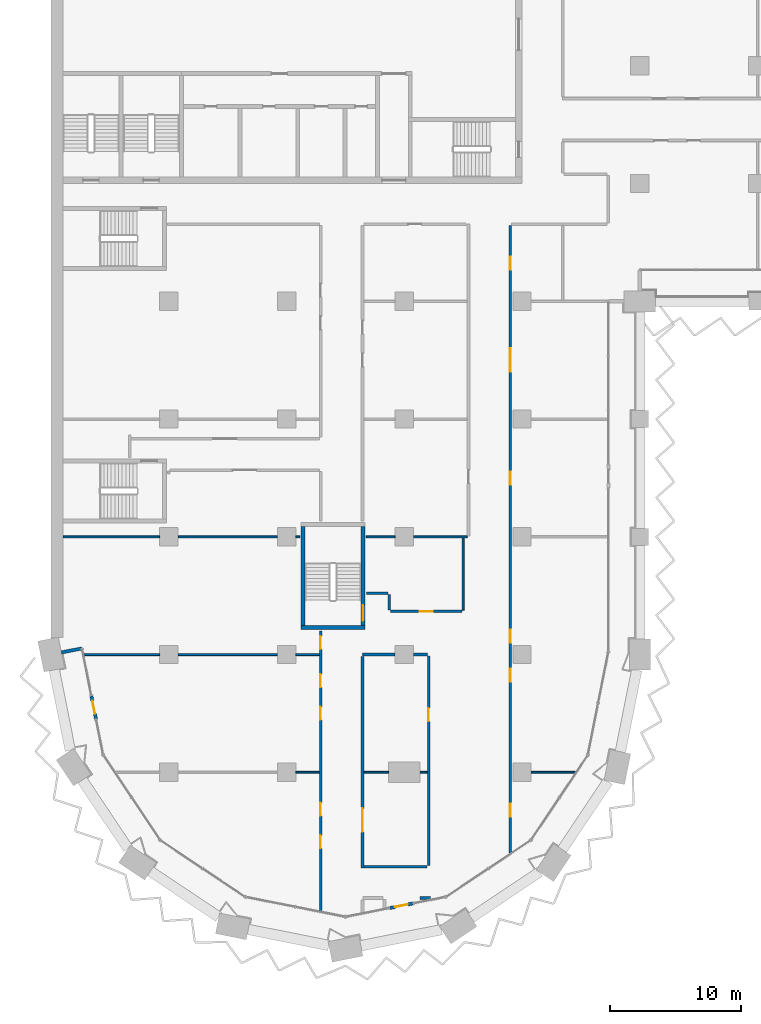
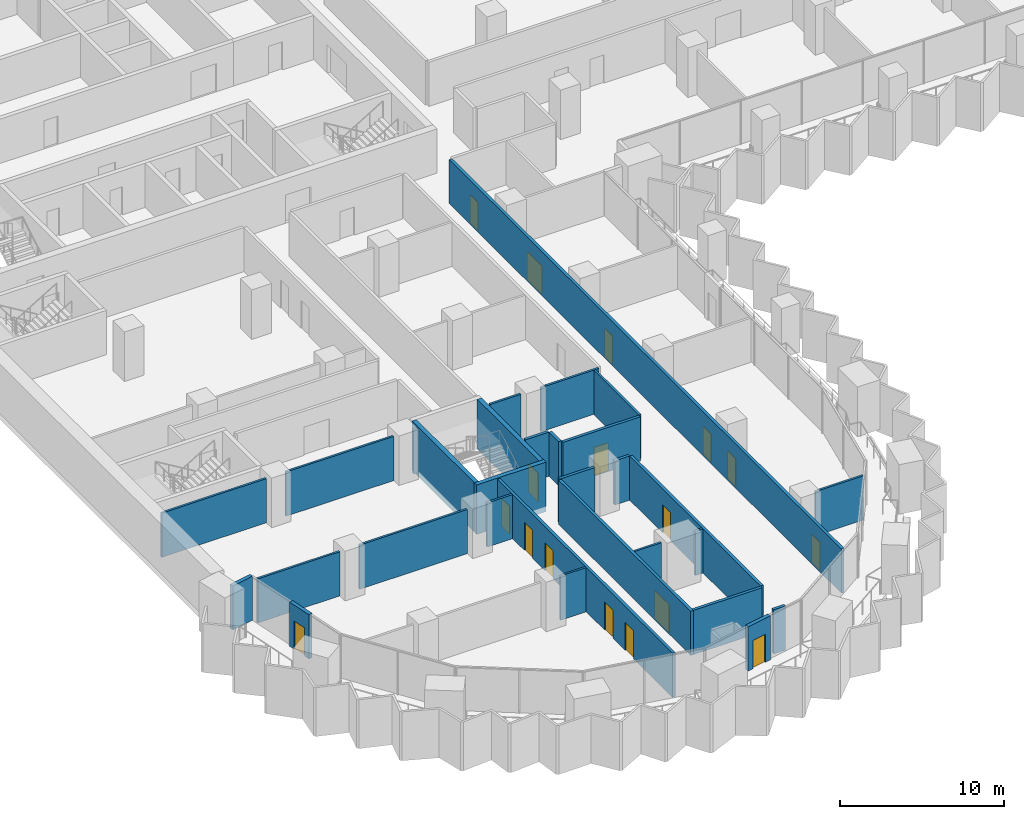
# One storey, part 10 of 28: 30 walls, 17 doors, 17 openings.
"""IFC4 building model written with IfcOpenShell, lengths in metres."""

from ifc_helpers import new_model, si_unit, direction, frame, frame_2d, origin, place, context, subcontext, project, spatial, rectangle, extrude, material, layer, layer_set, type_object, element, fill, save


model = new_model("IFC4")

# Units and contexts
model_context = context("Model", 3, precision=1e-05, world=origin(), true_north=direction((0.0, 1.0)))
body_context = subcontext(model_context, "Body", "Model", "MODEL_VIEW")
ifc_project = project(units=[si_unit("LENGTHUNIT", "METRE"), si_unit("AREAUNIT", "SQUARE_METRE"), si_unit("VOLUMEUNIT", "CUBIC_METRE"), si_unit("PLANEANGLEUNIT", "RADIAN"), si_unit("MASSUNIT", "GRAM", prefix="KILO")], contexts=[model_context])

# Site, building, storey
site_placement = place(None, origin())
site = spatial("IfcSite", under=ifc_project, at=site_placement, CompositionType="ELEMENT")
building_placement = place(site_placement, origin())
building = spatial("IfcBuilding", under=site, at=building_placement, Name="Hunhe Ridgeline Campus", CompositionType="ELEMENT")
storey_placement = place(building_placement, frame((0.0, 0.0, 61.699951171875)))
storey = spatial("IfcBuildingStorey", under=building, at=storey_placement, Name="L14", CompositionType="ELEMENT", Elevation=61.699951171875)

# Walls
ifc_material_1 = material(Name="Concrete C30", Category="concrete")
ifc_layer_1 = layer(ifc_material_1, 0.25)
ifc_layer_set_1 = layer_set([ifc_layer_1], Name="Corner return wall 250 Concrete C30")
wall_type_1 = type_object("IfcWallType", Name="Corner return wall 250 Concrete C30", PredefinedType="SOLIDWALL", material=ifc_layer_set_1)
wall_1_placement = place(storey_placement, frame((0.784423828125, 27.15673828125, 0.0), z_axis=(0.0, 0.0, 1.0), x_axis=(0.980826234823, 0.19488431718, 0.0)))
element("IfcWall", 1, at=wall_1_placement, inside=storey, type_object=wall_type_1, Name="Corner return wall 1", PredefinedType="SOLIDWALL", context=body_context, shape_type="SweptSolid", body=[
    extrude(rectangle(XDim=1.60107421875, YDim=0.25, at=frame_2d((0.800537109375, 0.0))), origin(), (0.0, 0.0, 1.0), 3.300048828125),
])
ifc_material_2 = material(Name="Gypsum board partition")
ifc_layer_2 = layer(ifc_material_2, 0.199951171875)
ifc_layer_set_2 = layer_set([ifc_layer_2], Name="Corridor partition 200 gypsum board on steel studs")
wall_type_2 = type_object("IfcWallType", Name="Corridor partition 200 gypsum board on steel studs", PredefinedType="PARTITIONING", material=ifc_layer_set_2)
wall_2_placement = place(storey_placement, frame((29.007568359375, 8.389892578125, 0.0), z_axis=(0.0, 0.0, 1.0), x_axis=(-1.0, 0.0, 0.0)))
element("IfcWall", 2, at=wall_2_placement, inside=storey, type_object=wall_type_2, Name="F-L14-wall-002", PredefinedType="PARTITIONING", context=body_context, shape_type="SweptSolid", body=[
    extrude(rectangle(XDim=0.82958984375, YDim=0.199951171875, at=frame_2d((0.414794921875, 0.0))), origin(), (0.0, 0.0, 1.0), 3.300048828125),
])
wall_3_placement = place(storey_placement, frame((23.89990234375, 10.7900390625, 0.0), z_axis=(0.0, 0.0, 1.0), x_axis=(1.0, 0.0, 0.0)))
element("IfcWall", 3, at=wall_3_placement, inside=storey, type_object=wall_type_2, Name="F-L14-wall-003", PredefinedType="PARTITIONING", context=body_context, shape_type="SweptSolid", body=[
    extrude(rectangle(XDim=4.85009765625, YDim=0.199951171875, at=frame_2d((2.425048828125, 0.0))), origin(), (0.0, 0.0, 1.0), 3.300048828125),
])
wall_4_placement = place(storey_placement, frame((26.300048828125, 27.0, 0.0), z_axis=(0.0, 0.0, 1.0), x_axis=(-1.0, 0.0, 0.0)))
element("IfcWall", 4, at=wall_4_placement, inside=storey, type_object=wall_type_2, Name="F-L14-wall-010", PredefinedType="PARTITIONING", context=body_context, shape_type="SweptSolid", body=[
    extrude(rectangle(XDim=2.5, YDim=0.199951171875, at=frame_2d((1.25, 0.0))), origin(), (0.0, 0.0, 1.0), 3.300048828125),
])
wall_5_placement = place(storey_placement, frame((28.75, 27.0, 0.0), z_axis=(0.0, 0.0, 1.0), x_axis=(-1.0, 0.0, 0.0)))
element("IfcWall", 5, at=wall_5_placement, inside=storey, type_object=wall_type_2, Name="F-L14-wall-011", PredefinedType="PARTITIONING", context=body_context, shape_type="SweptSolid", body=[
    extrude(rectangle(XDim=1.050048828125, YDim=0.199951171875, at=frame_2d((0.52490234375, 0.0))), origin(), (0.0, 0.0, 1.0), 3.300048828125),
])

# Wall, opening, door
wall_6_placement = place(storey_placement, frame((25.949951171875, 30.299072265625, 0.0), z_axis=(0.0, 0.0, 1.0), x_axis=(1.0, 0.0, 0.0)))
wall_6 = element("IfcWall", 6, at=wall_6_placement, inside=storey, type_object=wall_type_2, Name="F-L14-wall-015", PredefinedType="PARTITIONING", context=body_context, shape_type="SweptSolid", body=[
    extrude(rectangle(XDim=5.47509765625, YDim=0.199951171875, at=frame_2d((2.737548828125, 0.0))), origin(), (0.0, 0.0, 1.0), 3.300048828125),
])
opening_1_placement = place(wall_6_placement, frame((2.237548828125, 0.0, 0.0)))
opening_1 = element("IfcOpeningElement", 7, at=opening_1_placement, cuts=wall_6, Name="Opening RD1-011", PredefinedType="OPENING", context=body_context, shape_type="SweptSolid", body=[
    extrude(rectangle(XDim=1.0, YDim=2.10009765625, at=frame_2d((0.5, 1.050048828125))), frame((0.0, 0.10009765625, 0.0), z_axis=(0.0, -1.0, 0.0), x_axis=(1.0, 0.0, 0.0)), (0.0, 0.0, 1.0), 0.199951171875),
])
ifc_material_3 = material(Name="Timber door leaf", Category="wood")
door_type_1 = type_object("IfcDoorType", Name="Single fire door 1000x2100 timber FD60", OperationType="NOTDEFINED", PredefinedType="DOOR", material=ifc_material_3)
door_1_placement = place(opening_1_placement, origin())
door_1 = element("IfcDoor", 8, at=door_1_placement, inside=storey, type_object=door_type_1, Name="F-L14-door-011", OperationType="SINGLE_SWING_LEFT", OverallHeight=2.10009765625, OverallWidth=1.0, PredefinedType="DOOR", context=body_context, shape_type="SweptSolid", body=[
    extrude(rectangle(XDim=1.0, YDim=2.10009765625, at=frame_2d((0.5, 1.050048828125))), frame((0.0, 0.02490234375, 0.0), z_axis=(0.0, -1.0, 0.0), x_axis=(1.0, 0.0, 0.0)), (0.0, 0.0, 1.0), 0.050048828125),
])
fill(opening_1, door_1)

# Wall
wall_7_placement = place(storey_placement, frame((24.10400390625, 31.675048828125, 0.0), z_axis=(0.0, 0.0, 1.0), x_axis=(1.0, 0.0, 0.0)))
element("IfcWall", 9, at=wall_7_placement, inside=storey, type_object=wall_type_2, Name="F-L14-wall-016", PredefinedType="PARTITIONING", context=body_context, shape_type="SweptSolid", body=[
    extrude(rectangle(XDim=1.64599609375, YDim=0.199951171875, at=frame_2d((0.822998046875, 0.0))), origin(), (0.0, 0.0, 1.0), 3.300048828125),
])

# Wall, openings, doors
wall_8_placement = place(storey_placement, frame((20.60009765625, 7.381103515625, 0.0), z_axis=(0.0, 0.0, 1.0), x_axis=(0.0, 1.0, 0.0)))
wall_8 = element("IfcWall", 10, at=wall_8_placement, inside=storey, type_object=wall_type_2, Name="F-L14-wall-049", PredefinedType="PARTITIONING", context=body_context, shape_type="SweptSolid", body=[
    extrude(rectangle(XDim=21.414794921875, YDim=0.199951171875, at=frame_2d((10.70751953125, 0.0))), origin(), (0.0, 0.0, 1.0), 3.300048828125),
])
opening_2_placement = place(wall_8_placement, frame((4.790771484375, 0.0, 0.0)))
opening_2 = element("IfcOpeningElement", 11, at=opening_2_placement, cuts=wall_8, Name="Opening RD1-001", PredefinedType="OPENING", context=body_context, shape_type="SweptSolid", body=[
    extrude(rectangle(XDim=1.0, YDim=2.10009765625, at=frame_2d((0.5, 1.050048828125))), frame((0.0, 0.10009765625, 0.0), z_axis=(0.0, -1.0, 0.0), x_axis=(1.0, 0.0, 0.0)), (0.0, 0.0, 1.0), 0.199951171875),
])
opening_3_placement = place(wall_8_placement, frame((7.290771484375, 0.0, 0.0)))
opening_3 = element("IfcOpeningElement", 12, at=opening_3_placement, cuts=wall_8, Name="Opening RD1-004", PredefinedType="OPENING", context=body_context, shape_type="SweptSolid", body=[
    extrude(rectangle(XDim=1.0, YDim=2.10009765625, at=frame_2d((0.5, 1.050048828125))), frame((0.0, 0.10009765625, 0.0), z_axis=(0.0, -1.0, 0.0), x_axis=(1.0, 0.0, 0.0)), (0.0, 0.0, 1.0), 0.199951171875),
])
opening_4_placement = place(wall_8_placement, frame((14.616455078125, 0.0, 0.0)))
opening_4 = element("IfcOpeningElement", 13, at=opening_4_placement, cuts=wall_8, Name="Opening RD1-006", PredefinedType="OPENING", context=body_context, shape_type="SweptSolid", body=[
    extrude(rectangle(XDim=1.0, YDim=2.10009765625, at=frame_2d((0.5, 1.050048828125))), frame((0.0, 0.10009765625, 0.0), z_axis=(0.0, -1.0, 0.0), x_axis=(1.0, 0.0, 0.0)), (0.0, 0.0, 1.0), 0.199951171875),
])
opening_5_placement = place(wall_8_placement, frame((17.116455078125, 0.0, 0.0)))
opening_5 = element("IfcOpeningElement", 14, at=opening_5_placement, cuts=wall_8, Name="Opening RD1-007", PredefinedType="OPENING", context=body_context, shape_type="SweptSolid", body=[
    extrude(rectangle(XDim=1.0, YDim=2.10009765625, at=frame_2d((0.5, 1.050048828125))), frame((0.0, 0.10009765625, 0.0), z_axis=(0.0, -1.0, 0.0), x_axis=(1.0, 0.0, 0.0)), (0.0, 0.0, 1.0), 0.199951171875),
])
opening_6_placement = place(wall_8_placement, frame((20.033203125, 0.0, 0.0)))
opening_6 = element("IfcOpeningElement", 15, at=opening_6_placement, cuts=wall_8, Name="Opening RD1-009", PredefinedType="OPENING", context=body_context, shape_type="SweptSolid", body=[
    extrude(rectangle(XDim=1.0, YDim=2.10009765625, at=frame_2d((0.5, 1.050048828125))), frame((0.0, 0.10009765625, 0.0), z_axis=(0.0, -1.0, 0.0), x_axis=(1.0, 0.0, 0.0)), (0.0, 0.0, 1.0), 0.199951171875),
])
door_2_placement = place(opening_2_placement, frame((1.0, 0.0, 0.0), z_axis=(0.0, 0.0, 1.0), x_axis=(-1.0, 0.0, 0.0)))
door_2 = element("IfcDoor", 16, at=door_2_placement, inside=storey, type_object=door_type_1, Name="F-L14-door-001", OperationType="SINGLE_SWING_LEFT", OverallHeight=2.10009765625, OverallWidth=1.0, PredefinedType="DOOR", context=body_context, shape_type="SweptSolid", body=[
    extrude(rectangle(XDim=1.0, YDim=2.10009765625, at=frame_2d((0.5, 1.050048828125))), frame((0.0, 0.02490234375, 0.0), z_axis=(0.0, -1.0, 0.0), x_axis=(1.0, 0.0, 0.0)), (0.0, 0.0, 1.0), 0.050048828125),
])
fill(opening_2, door_2)
door_3_placement = place(opening_3_placement, frame((1.0, 0.0, 0.0), z_axis=(0.0, 0.0, 1.0), x_axis=(-1.0, 0.0, 0.0)))
door_3 = element("IfcDoor", 17, at=door_3_placement, inside=storey, type_object=door_type_1, Name="F-L14-door-004", OperationType="SINGLE_SWING_LEFT", OverallHeight=2.10009765625, OverallWidth=1.0, PredefinedType="DOOR", context=body_context, shape_type="SweptSolid", body=[
    extrude(rectangle(XDim=1.0, YDim=2.10009765625, at=frame_2d((0.5, 1.050048828125))), frame((0.0, 0.02490234375, 0.0), z_axis=(0.0, -1.0, 0.0), x_axis=(1.0, 0.0, 0.0)), (0.0, 0.0, 1.0), 0.050048828125),
])
fill(opening_3, door_3)
door_4_placement = place(opening_4_placement, frame((1.0, 0.0, 0.0), z_axis=(0.0, 0.0, 1.0), x_axis=(-1.0, 0.0, 0.0)))
door_4 = element("IfcDoor", 18, at=door_4_placement, inside=storey, type_object=door_type_1, Name="F-L14-door-006", OperationType="SINGLE_SWING_RIGHT", OverallHeight=2.10009765625, OverallWidth=1.0, PredefinedType="DOOR", context=body_context, shape_type="SweptSolid", body=[
    extrude(rectangle(XDim=1.0, YDim=2.10009765625, at=frame_2d((0.5, 1.050048828125))), frame((0.0, 0.02490234375, 0.0), z_axis=(0.0, -1.0, 0.0), x_axis=(1.0, 0.0, 0.0)), (0.0, 0.0, 1.0), 0.050048828125),
])
fill(opening_4, door_4)
door_5_placement = place(opening_5_placement, frame((1.0, 0.0, 0.0), z_axis=(0.0, 0.0, 1.0), x_axis=(-1.0, 0.0, 0.0)))
door_5 = element("IfcDoor", 19, at=door_5_placement, inside=storey, type_object=door_type_1, Name="F-L14-door-007", OperationType="SINGLE_SWING_LEFT", OverallHeight=2.10009765625, OverallWidth=1.0, PredefinedType="DOOR", context=body_context, shape_type="SweptSolid", body=[
    extrude(rectangle(XDim=1.0, YDim=2.10009765625, at=frame_2d((0.5, 1.050048828125))), frame((0.0, 0.02490234375, 0.0), z_axis=(0.0, -1.0, 0.0), x_axis=(1.0, 0.0, 0.0)), (0.0, 0.0, 1.0), 0.050048828125),
])
fill(opening_5, door_5)
door_6_placement = place(opening_6_placement, frame((1.0, 0.0, 0.0), z_axis=(0.0, 0.0, 1.0), x_axis=(-1.0, 0.0, 0.0)))
door_6 = element("IfcDoor", 20, at=door_6_placement, inside=storey, type_object=door_type_1, Name="F-L14-door-009", OperationType="SINGLE_SWING_LEFT", OverallHeight=2.10009765625, OverallWidth=1.0, PredefinedType="DOOR", context=body_context, shape_type="SweptSolid", body=[
    extrude(rectangle(XDim=1.0, YDim=2.10009765625, at=frame_2d((0.5, 1.050048828125))), frame((0.0, 0.02490234375, 0.0), z_axis=(0.0, -1.0, 0.0), x_axis=(1.0, 0.0, 0.0)), (0.0, 0.0, 1.0), 0.050048828125),
])
fill(opening_6, door_6)

# Wall, opening, door
wall_9_placement = place(storey_placement, frame((23.800048828125, 26.83837890625, 0.0), z_axis=(0.0, 0.0, 1.0), x_axis=(0.0, -1.0, 0.0)))
wall_9 = element("IfcWall", 21, at=wall_9_placement, inside=storey, type_object=wall_type_2, Name="F-L14-wall-053", PredefinedType="PARTITIONING", context=body_context, shape_type="SweptSolid", body=[
    extrude(rectangle(XDim=16.15087890625, YDim=0.199951171875, at=frame_2d((8.075439453125, 0.0))), origin(), (0.0, 0.0, 1.0), 3.300048828125),
])
opening_7_placement = place(wall_9_placement, frame((11.591552734375, 0.0, 0.0)))
opening_7 = element("IfcOpeningElement", 22, at=opening_7_placement, cuts=wall_9, Name="Opening RD2-002", PredefinedType="OPENING", context=body_context, shape_type="SweptSolid", body=[
    extrude(rectangle(XDim=1.800048828125, YDim=2.10009765625, at=frame_2d((0.89990234375, 1.050048828125))), frame((0.0, 0.10009765625, 0.0), z_axis=(0.0, -1.0, 0.0), x_axis=(1.0, 0.0, 0.0)), (0.0, 0.0, 1.0), 0.199951171875),
])
door_type_2 = type_object("IfcDoorType", Name="Double fire door 1800x2100 timber FD60", OperationType="DOUBLE_DOOR_SINGLE_SWING", PredefinedType="DOOR", material=ifc_material_3)
door_7_placement = place(opening_7_placement, origin())
door_7 = element("IfcDoor", 23, at=door_7_placement, inside=storey, type_object=door_type_2, Name="F-L14-door-002", OperationType="DOUBLE_DOOR_SINGLE_SWING", OverallHeight=2.10009765625, OverallWidth=1.800048828125, PredefinedType="DOOR", context=body_context, shape_type="SweptSolid", body=[
    extrude(rectangle(XDim=1.800048828125, YDim=2.10009765625, at=frame_2d((0.89990234375, 1.050048828125))), frame((0.0, 0.02490234375, 0.0), z_axis=(0.0, -1.0, 0.0), x_axis=(1.0, 0.0, 0.0)), (0.0, 0.0, 1.0), 0.050048828125),
])
fill(opening_7, door_7)

# Wall
wall_10_placement = place(storey_placement, frame((25.85009765625, 31.574951171875, 0.0), z_axis=(0.0, 0.0, 1.0), x_axis=(0.0, -1.0, 0.0)))
element("IfcWall", 24, at=wall_10_placement, inside=storey, type_object=wall_type_2, Name="F-L14-wall-056", PredefinedType="PARTITIONING", context=body_context, shape_type="SweptSolid", body=[
    extrude(rectangle(XDim=1.176025390625, YDim=0.199951171875, at=frame_2d((0.587890625, 0.0))), origin(), (0.0, 0.0, 1.0), 3.300048828125),
])

# Wall, opening, door
wall_11_placement = place(storey_placement, frame((28.85009765625, 10.889892578125, 0.0), z_axis=(0.0, 0.0, 1.0), x_axis=(0.0, 1.0, 0.0)))
wall_11 = element("IfcWall", 25, at=wall_11_placement, inside=storey, type_object=wall_type_2, Name="F-L14-wall-057", PredefinedType="PARTITIONING", context=body_context, shape_type="SweptSolid", body=[
    extrude(rectangle(XDim=16.010009765625, YDim=0.199951171875, at=frame_2d((8.0048828125, 0.0))), origin(), (0.0, 0.0, 1.0), 3.300048828125),
])
opening_8_placement = place(wall_11_placement, frame((11.007080078125, 0.0, 0.0)))
opening_8 = element("IfcOpeningElement", 26, at=opening_8_placement, cuts=wall_11, Name="Opening RD1-005", PredefinedType="OPENING", context=body_context, shape_type="SweptSolid", body=[
    extrude(rectangle(XDim=1.0, YDim=2.10009765625, at=frame_2d((0.5, 1.050048828125))), frame((0.0, 0.10009765625, 0.0), z_axis=(0.0, -1.0, 0.0), x_axis=(1.0, 0.0, 0.0)), (0.0, 0.0, 1.0), 0.199951171875),
])
door_8_placement = place(opening_8_placement, origin())
door_8 = element("IfcDoor", 27, at=door_8_placement, inside=storey, type_object=door_type_1, Name="F-L14-door-005", OperationType="SINGLE_SWING_RIGHT", OverallHeight=2.10009765625, OverallWidth=1.0, PredefinedType="DOOR", context=body_context, shape_type="SweptSolid", body=[
    extrude(rectangle(XDim=1.0, YDim=2.10009765625, at=frame_2d((0.5, 1.050048828125))), frame((0.0, 0.02490234375, 0.0), z_axis=(0.0, -1.0, 0.0), x_axis=(1.0, 0.0, 0.0)), (0.0, 0.0, 1.0), 0.050048828125),
])
fill(opening_8, door_8)

# Wall, openings, doors
wall_12_placement = place(storey_placement, frame((35.10009765625, 59.800048828125, 0.0), z_axis=(0.0, 0.0, 1.0), x_axis=(0.0, -1.0, 0.0)))
wall_12 = element("IfcWall", 28, at=wall_12_placement, inside=storey, type_object=wall_type_2, Name="F-L14-wall-060", PredefinedType="PARTITIONING", context=body_context, shape_type="SweptSolid", body=[
    extrude(rectangle(XDim=47.968994140625, YDim=0.199951171875, at=frame_2d((23.984375, 0.0))), origin(), (0.0, 0.0, 1.0), 3.300048828125),
])
opening_9_placement = place(wall_12_placement, frame((44.2041015625, 0.0, 0.0)))
opening_9 = element("IfcOpeningElement", 29, at=opening_9_placement, cuts=wall_12, Name="Opening RD1-003", PredefinedType="OPENING", context=body_context, shape_type="SweptSolid", body=[
    extrude(rectangle(XDim=1.0, YDim=2.10009765625, at=frame_2d((0.5, 1.050048828125))), frame((0.0, 0.10009765625, 0.0), z_axis=(0.0, -1.0, 0.0), x_axis=(1.0, 0.0, 0.0)), (0.0, 0.0, 1.0), 0.199951171875),
])
opening_10_placement = place(wall_12_placement, frame((33.900146484375, 0.0, 0.0)))
opening_10 = element("IfcOpeningElement", 30, at=opening_10_placement, cuts=wall_12, Name="Opening RD1-008", PredefinedType="OPENING", context=body_context, shape_type="SweptSolid", body=[
    extrude(rectangle(XDim=1.0, YDim=2.10009765625, at=frame_2d((0.5, 1.050048828125))), frame((0.0, 0.10009765625, 0.0), z_axis=(0.0, -1.0, 0.0), x_axis=(1.0, 0.0, 0.0)), (0.0, 0.0, 1.0), 0.199951171875),
])
opening_11_placement = place(wall_12_placement, frame((30.900146484375, 0.0, 0.0)))
opening_11 = element("IfcOpeningElement", 31, at=opening_11_placement, cuts=wall_12, Name="Opening RD1-010", PredefinedType="OPENING", context=body_context, shape_type="SweptSolid", body=[
    extrude(rectangle(XDim=1.0, YDim=2.10009765625, at=frame_2d((0.5, 1.050048828125))), frame((0.0, 0.10009765625, 0.0), z_axis=(0.0, -1.0, 0.0), x_axis=(1.0, 0.0, 0.0)), (0.0, 0.0, 1.0), 0.199951171875),
])
opening_12_placement = place(wall_12_placement, frame((18.838134765625, 0.0, 0.0)))
opening_12 = element("IfcOpeningElement", 32, at=opening_12_placement, cuts=wall_12, Name="Opening RD1-012", PredefinedType="OPENING", context=body_context, shape_type="SweptSolid", body=[
    extrude(rectangle(XDim=1.0, YDim=2.10009765625, at=frame_2d((0.5, 1.050048828125))), frame((0.0, 0.10009765625, 0.0), z_axis=(0.0, -1.0, 0.0), x_axis=(1.0, 0.0, 0.0)), (0.0, 0.0, 1.0), 0.199951171875),
])
opening_13_placement = place(wall_12_placement, frame((9.39697265625, 0.0, 0.0)))
opening_13 = element("IfcOpeningElement", 33, at=opening_13_placement, cuts=wall_12, Name="Opening RD2-017", PredefinedType="OPENING", context=body_context, shape_type="SweptSolid", body=[
    extrude(rectangle(XDim=1.800048828125, YDim=2.10009765625, at=frame_2d((0.89990234375, 1.050048828125))), frame((0.0, 0.10009765625, 0.0), z_axis=(0.0, -1.0, 0.0), x_axis=(1.0, 0.0, 0.0)), (0.0, 0.0, 1.0), 0.199951171875),
])
opening_14_placement = place(wall_12_placement, frame((2.38818359375, 0.0, 0.0)))
opening_14 = element("IfcOpeningElement", 34, at=opening_14_placement, cuts=wall_12, Name="Opening RD1-021", PredefinedType="OPENING", context=body_context, shape_type="SweptSolid", body=[
    extrude(rectangle(XDim=1.0, YDim=2.10009765625, at=frame_2d((0.5, 1.050048828125))), frame((0.0, 0.10009765625, 0.0), z_axis=(0.0, -1.0, 0.0), x_axis=(1.0, 0.0, 0.0)), (0.0, 0.0, 1.0), 0.199951171875),
])
door_9_placement = place(opening_13_placement, origin())
door_9 = element("IfcDoor", 35, at=door_9_placement, inside=storey, type_object=door_type_2, Name="F-L14-door-017", OperationType="DOUBLE_DOOR_SINGLE_SWING", OverallHeight=2.10009765625, OverallWidth=1.800048828125, PredefinedType="DOOR", context=body_context, shape_type="SweptSolid", body=[
    extrude(rectangle(XDim=1.800048828125, YDim=2.10009765625, at=frame_2d((0.89990234375, 1.050048828125))), frame((0.0, 0.02490234375, 0.0), z_axis=(0.0, -1.0, 0.0), x_axis=(1.0, 0.0, 0.0)), (0.0, 0.0, 1.0), 0.050048828125),
])
fill(opening_13, door_9)
door_10_placement = place(opening_9_placement, origin())
door_10 = element("IfcDoor", 36, at=door_10_placement, inside=storey, type_object=door_type_1, Name="F-L14-door-003", OperationType="SINGLE_SWING_LEFT", OverallHeight=2.10009765625, OverallWidth=1.0, PredefinedType="DOOR", context=body_context, shape_type="SweptSolid", body=[
    extrude(rectangle(XDim=1.0, YDim=2.10009765625, at=frame_2d((0.5, 1.050048828125))), frame((0.0, 0.02490234375, 0.0), z_axis=(0.0, -1.0, 0.0), x_axis=(1.0, 0.0, 0.0)), (0.0, 0.0, 1.0), 0.050048828125),
])
fill(opening_9, door_10)
door_11_placement = place(opening_10_placement, frame((1.0, 0.0, 0.0), z_axis=(0.0, 0.0, 1.0), x_axis=(-1.0, 0.0, 0.0)))
door_11 = element("IfcDoor", 37, at=door_11_placement, inside=storey, type_object=door_type_1, Name="F-L14-door-008", OperationType="SINGLE_SWING_LEFT", OverallHeight=2.10009765625, OverallWidth=1.0, PredefinedType="DOOR", context=body_context, shape_type="SweptSolid", body=[
    extrude(rectangle(XDim=1.0, YDim=2.10009765625, at=frame_2d((0.5, 1.050048828125))), frame((0.0, 0.02490234375, 0.0), z_axis=(0.0, -1.0, 0.0), x_axis=(1.0, 0.0, 0.0)), (0.0, 0.0, 1.0), 0.050048828125),
])
fill(opening_10, door_11)
door_12_placement = place(opening_11_placement, frame((1.0, 0.0, 0.0), z_axis=(0.0, 0.0, 1.0), x_axis=(-1.0, 0.0, 0.0)))
door_12 = element("IfcDoor", 38, at=door_12_placement, inside=storey, type_object=door_type_1, Name="F-L14-door-010", OperationType="SINGLE_SWING_RIGHT", OverallHeight=2.10009765625, OverallWidth=1.0, PredefinedType="DOOR", context=body_context, shape_type="SweptSolid", body=[
    extrude(rectangle(XDim=1.0, YDim=2.10009765625, at=frame_2d((0.5, 1.050048828125))), frame((0.0, 0.02490234375, 0.0), z_axis=(0.0, -1.0, 0.0), x_axis=(1.0, 0.0, 0.0)), (0.0, 0.0, 1.0), 0.050048828125),
])
fill(opening_11, door_12)
door_13_placement = place(opening_12_placement, origin())
door_13 = element("IfcDoor", 39, at=door_13_placement, inside=storey, type_object=door_type_1, Name="F-L14-door-012", OperationType="SINGLE_SWING_LEFT", OverallHeight=2.10009765625, OverallWidth=1.0, PredefinedType="DOOR", context=body_context, shape_type="SweptSolid", body=[
    extrude(rectangle(XDim=1.0, YDim=2.10009765625, at=frame_2d((0.5, 1.050048828125))), frame((0.0, 0.02490234375, 0.0), z_axis=(0.0, -1.0, 0.0), x_axis=(1.0, 0.0, 0.0)), (0.0, 0.0, 1.0), 0.050048828125),
])
fill(opening_12, door_13)
door_14_placement = place(opening_14_placement, origin())
door_14 = element("IfcDoor", 40, at=door_14_placement, inside=storey, type_object=door_type_1, Name="F-L14-door-021", OperationType="SINGLE_SWING_LEFT", OverallHeight=2.10009765625, OverallWidth=1.0, PredefinedType="DOOR", context=body_context, shape_type="SweptSolid", body=[
    extrude(rectangle(XDim=1.0, YDim=2.10009765625, at=frame_2d((0.5, 1.050048828125))), frame((0.0, 0.02490234375, 0.0), z_axis=(0.0, -1.0, 0.0), x_axis=(1.0, 0.0, 0.0)), (0.0, 0.0, 1.0), 0.050048828125),
])
fill(opening_14, door_14)

# Wall, opening, door
ifc_layer_3 = layer(ifc_material_1, 0.25)
ifc_layer_set_3 = layer_set([ifc_layer_3], Name="Loggia door pier wall 250 Concrete C30")
wall_type_3 = type_object("IfcWallType", Name="Loggia door pier wall 250 Concrete C30", PredefinedType="SOLIDWALL", material=ifc_layer_set_3)
wall_13_placement = place(storey_placement, frame((3.076904296875, 23.8388671875, 0.0), z_axis=(0.0, 0.0, 1.0), x_axis=(0.195046569833, -0.980793982239, 0.0)))
wall_13 = element("IfcWall", 41, at=wall_13_placement, inside=storey, type_object=wall_type_3, Name="Loggia door pier 1", PredefinedType="SOLIDWALL", context=body_context, shape_type="SweptSolid", body=[
    extrude(rectangle(XDim=1.800048828125, YDim=0.25, at=frame_2d((0.89990234375, 0.0))), origin(), (0.0, 0.0, 1.0), 3.300048828125),
])
opening_15_placement = place(wall_13_placement, frame((0.39990234375, 0.0, 0.0)))
opening_15 = element("IfcOpeningElement", 42, at=opening_15_placement, cuts=wall_13, Name="Opening BD101", PredefinedType="OPENING", context=body_context, shape_type="SweptSolid", body=[
    extrude(rectangle(XDim=1.0, YDim=2.10009765625, at=frame_2d((0.5, 1.050048828125))), frame((0.0, 0.125, 0.0), z_axis=(0.0, -1.0, 0.0), x_axis=(1.0, 0.0, 0.0)), (0.0, 0.0, 1.0), 0.25),
])
ifc_material_4 = material(Name="Aluminium 6063", Category="aluminium")
door_type_3 = type_object("IfcDoorType", Name="Loggia glazed door 1000x2100", OperationType="NOTDEFINED", PredefinedType="DOOR", material=ifc_material_4)
door_15_placement = place(opening_15_placement, frame((1.0, 0.0, 0.0), z_axis=(0.0, 0.0, 1.0), x_axis=(-1.0, 0.0, 0.0)))
door_15 = element("IfcDoor", 43, at=door_15_placement, inside=storey, type_object=door_type_3, Name="Loggia door BD101", OperationType="SINGLE_SWING_RIGHT", OverallHeight=2.10009765625, OverallWidth=1.0, PredefinedType="DOOR", context=body_context, shape_type="SweptSolid", body=[
    extrude(rectangle(XDim=1.0, YDim=2.10009765625, at=frame_2d((0.5, 1.050048828125))), frame((0.0, 0.02490234375, 0.0), z_axis=(0.0, -1.0, 0.0), x_axis=(1.0, 0.0, 0.0)), (0.0, 0.0, 1.0), 0.050048828125),
])
fill(opening_15, door_15)

wall_14_placement = place(storey_placement, frame((25.8955078125, 7.62353515625, 0.0), z_axis=(0.0, 0.0, 1.0), x_axis=(0.980793982239, 0.195046569833, 0.0)))
wall_14 = element("IfcWall", 44, at=wall_14_placement, inside=storey, type_object=wall_type_3, Name="Loggia door pier 2", PredefinedType="SOLIDWALL", context=body_context, shape_type="SweptSolid", body=[
    extrude(rectangle(XDim=1.800048828125, YDim=0.25, at=frame_2d((0.89990234375, 0.0))), origin(), (0.0, 0.0, 1.0), 3.300048828125),
])
opening_16_placement = place(wall_14_placement, frame((0.39990234375, 0.0, 0.0)))
opening_16 = element("IfcOpeningElement", 45, at=opening_16_placement, cuts=wall_14, Name="Opening BD103", PredefinedType="OPENING", context=body_context, shape_type="SweptSolid", body=[
    extrude(rectangle(XDim=1.0, YDim=2.10009765625, at=frame_2d((0.5, 1.050048828125))), frame((0.0, 0.125, 0.0), z_axis=(0.0, -1.0, 0.0), x_axis=(1.0, 0.0, 0.0)), (0.0, 0.0, 1.0), 0.25),
])
door_16_placement = place(opening_16_placement, frame((1.0, 0.0, 0.0), z_axis=(0.0, 0.0, 1.0), x_axis=(-1.0, 0.0, 0.0)))
door_16 = element("IfcDoor", 46, at=door_16_placement, inside=storey, type_object=door_type_3, Name="Loggia door BD103", OperationType="SINGLE_SWING_RIGHT", OverallHeight=2.10009765625, OverallWidth=1.0, PredefinedType="DOOR", context=body_context, shape_type="SweptSolid", body=[
    extrude(rectangle(XDim=1.0, YDim=2.10009765625, at=frame_2d((0.5, 1.050048828125))), frame((0.0, 0.02490234375, 0.0), z_axis=(0.0, -1.0, 0.0), x_axis=(1.0, 0.0, 0.0)), (0.0, 0.0, 1.0), 0.050048828125),
])
fill(opening_16, door_16)

# Walls
ifc_layer_4 = layer(ifc_material_2, 0.14990234375)
ifc_layer_set_4 = layer_set([ifc_layer_4], Name="Room partition 150 gypsum board on steel studs")
wall_type_4 = type_object("IfcWallType", Name="Room partition 150 gypsum board on steel studs", PredefinedType="PARTITIONING", material=ifc_layer_set_4)
wall_15_placement = place(storey_placement, frame((18.699951171875, 18.0, 0.0), z_axis=(0.0, 0.0, 1.0), x_axis=(1.0, 0.0, 0.0)))
element("IfcWall", 47, at=wall_15_placement, inside=storey, type_object=wall_type_4, Name="F-L14-wall-006", PredefinedType="PARTITIONING", context=body_context, shape_type="SweptSolid", body=[
    extrude(rectangle(XDim=1.800048828125, YDim=0.14990234375, at=frame_2d((0.89990234375, 0.0))), origin(), (0.0, 0.0, 1.0), 3.300048828125),
])
wall_16_placement = place(storey_placement, frame((23.89990234375, 18.0, 0.0), z_axis=(0.0, 0.0, 1.0), x_axis=(1.0, 0.0, 0.0)))
element("IfcWall", 48, at=wall_16_placement, inside=storey, type_object=wall_type_4, Name="F-L14-wall-007", PredefinedType="PARTITIONING", context=body_context, shape_type="SweptSolid", body=[
    extrude(rectangle(XDim=1.900146484375, YDim=0.14990234375, at=frame_2d((0.9501953125, 0.0))), origin(), (0.0, 0.0, 1.0), 3.300048828125),
])
wall_17_placement = place(storey_placement, frame((28.199951171875, 18.0, 0.0), z_axis=(0.0, 0.0, 1.0), x_axis=(1.0, 0.0, 0.0)))
element("IfcWall", 49, at=wall_17_placement, inside=storey, type_object=wall_type_4, Name="F-L14-wall-008", PredefinedType="PARTITIONING", context=body_context, shape_type="SweptSolid", body=[
    extrude(rectangle(XDim=0.550048828125, YDim=0.14990234375, at=frame_2d((0.27490234375, 0.0))), origin(), (0.0, 0.0, 1.0), 3.300048828125),
])
wall_18_placement = place(storey_placement, frame((36.699951171875, 18.0, 0.0), z_axis=(0.0, 0.0, 1.0), x_axis=(1.0, 0.0, 0.0)))
element("IfcWall", 50, at=wall_18_placement, inside=storey, type_object=wall_type_4, Name="F-L14-wall-009", PredefinedType="PARTITIONING", context=body_context, shape_type="SweptSolid", body=[
    extrude(rectangle(XDim=3.37451171875, YDim=0.14990234375, at=frame_2d((1.687255859375, 0.0))), origin(), (0.0, 0.0, 1.0), 3.300048828125),
])
wall_19_placement = place(storey_placement, frame((2.503173828125, 27.0, 0.0), z_axis=(0.0, 0.0, 1.0), x_axis=(1.0, 0.0, 0.0)))
element("IfcWall", 51, at=wall_19_placement, inside=storey, type_object=wall_type_4, Name="F-L14-wall-012", PredefinedType="PARTITIONING", context=body_context, shape_type="SweptSolid", body=[
    extrude(rectangle(XDim=5.796875, YDim=0.14990234375, at=frame_2d((2.8984375, 0.0))), origin(), (0.0, 0.0, 1.0), 3.300048828125),
])
wall_20_placement = place(storey_placement, frame((9.699951171875, 27.0, 0.0), z_axis=(0.0, 0.0, 1.0), x_axis=(1.0, 0.0, 0.0)))
element("IfcWall", 52, at=wall_20_placement, inside=storey, type_object=wall_type_4, Name="F-L14-wall-013", PredefinedType="PARTITIONING", context=body_context, shape_type="SweptSolid", body=[
    extrude(rectangle(XDim=7.60009765625, YDim=0.14990234375, at=frame_2d((3.800048828125, 0.0))), origin(), (0.0, 0.0, 1.0), 3.300048828125),
])
wall_21_placement = place(storey_placement, frame((18.699951171875, 27.0, 0.0), z_axis=(0.0, 0.0, 1.0), x_axis=(1.0, 0.0, 0.0)))
element("IfcWall", 53, at=wall_21_placement, inside=storey, type_object=wall_type_4, Name="F-L14-wall-014", PredefinedType="PARTITIONING", context=body_context, shape_type="SweptSolid", body=[
    extrude(rectangle(XDim=1.800048828125, YDim=0.14990234375, at=frame_2d((0.89990234375, 0.0))), origin(), (0.0, 0.0, 1.0), 3.300048828125),
])
wall_22_placement = place(storey_placement, frame((0.919921875, 36.0, 0.0), z_axis=(0.0, 0.0, 1.0), x_axis=(1.0, 0.0, 0.0)))
element("IfcWall", 54, at=wall_22_placement, inside=storey, type_object=wall_type_4, Name="F-L14-wall-017", PredefinedType="PARTITIONING", context=body_context, shape_type="SweptSolid", body=[
    extrude(rectangle(XDim=7.380126953125, YDim=0.14990234375, at=frame_2d((3.68994140625, 0.0))), origin(), (0.0, 0.0, 1.0), 3.300048828125),
])
wall_23_placement = place(storey_placement, frame((9.699951171875, 36.0, 0.0), z_axis=(0.0, 0.0, 1.0), x_axis=(1.0, 0.0, 0.0)))
element("IfcWall", 55, at=wall_23_placement, inside=storey, type_object=wall_type_4, Name="F-L14-wall-018", PredefinedType="PARTITIONING", context=body_context, shape_type="SweptSolid", body=[
    extrude(rectangle(XDim=7.60009765625, YDim=0.14990234375, at=frame_2d((3.800048828125, 0.0))), origin(), (0.0, 0.0, 1.0), 3.300048828125),
])
wall_24_placement = place(storey_placement, frame((18.699951171875, 36.0, 0.0), z_axis=(0.0, 0.0, 1.0), x_axis=(1.0, 0.0, 0.0)))
element("IfcWall", 56, at=wall_24_placement, inside=storey, type_object=wall_type_4, Name="F-L14-wall-019", PredefinedType="PARTITIONING", context=body_context, shape_type="SweptSolid", body=[
    extrude(rectangle(XDim=0.296142578125, YDim=0.14990234375, at=frame_2d((0.14794921875, 0.0))), origin(), (0.0, 0.0, 1.0), 3.300048828125),
])
wall_25_placement = place(storey_placement, frame((24.10400390625, 36.0, 0.0), z_axis=(0.0, 0.0, 1.0), x_axis=(1.0, 0.0, 0.0)))
element("IfcWall", 57, at=wall_25_placement, inside=storey, type_object=wall_type_4, Name="F-L14-wall-020", PredefinedType="PARTITIONING", context=body_context, shape_type="SweptSolid", body=[
    extrude(rectangle(XDim=2.196044921875, YDim=0.14990234375, at=frame_2d((1.09814453125, 0.0))), origin(), (0.0, 0.0, 1.0), 3.300048828125),
])
wall_26_placement = place(storey_placement, frame((27.699951171875, 36.0, 0.0), z_axis=(0.0, 0.0, 1.0), x_axis=(1.0, 0.0, 0.0)))
element("IfcWall", 58, at=wall_26_placement, inside=storey, type_object=wall_type_4, Name="F-L14-wall-021", PredefinedType="PARTITIONING", context=body_context, shape_type="SweptSolid", body=[
    extrude(rectangle(XDim=4.10009765625, YDim=0.14990234375, at=frame_2d((2.050048828125, 0.0))), origin(), (0.0, 0.0, 1.0), 3.300048828125),
])
wall_27_placement = place(storey_placement, frame((31.5, 35.925048828125, 0.0), z_axis=(0.0, 0.0, 1.0), x_axis=(0.0, -1.0, 0.0)))
element("IfcWall", 59, at=wall_27_placement, inside=storey, type_object=wall_type_4, Name="F-L14-wall-058", PredefinedType="PARTITIONING", context=body_context, shape_type="SweptSolid", body=[
    extrude(rectangle(XDim=5.526123046875, YDim=0.14990234375, at=frame_2d((2.76318359375, 0.0))), origin(), (0.0, 0.0, 1.0), 3.300048828125),
])
ifc_material_5 = material(Name="Concrete C80", Category="concrete")
ifc_layer_5 = layer(ifc_material_5, 0.300048828125)
ifc_layer_set_5 = layer_set([ifc_layer_5], Name="Stair wall 300 reinforced concrete C80")
wall_type_5 = type_object("IfcWallType", Name="Stair wall 300 reinforced concrete C80", PredefinedType="SOLIDWALL", material=ifc_layer_set_5)
wall_28_placement = place(storey_placement, frame((19.10009765625, 29.050048828125, -0.39990234375), z_axis=(0.0, 0.0, 1.0), x_axis=(1.0, 0.0, 0.0)))
element("IfcWall", 60, at=wall_28_placement, inside=storey, type_object=wall_type_5, Name="L14 core wall 1", PredefinedType="SOLIDWALL", context=body_context, shape_type="SweptSolid", body=[
    extrude(rectangle(XDim=4.89990234375, YDim=0.300048828125, at=frame_2d((2.449951171875, 0.0))), origin(), (0.0, 0.0, 1.0), 3.699951171875),
])
wall_29_placement = place(storey_placement, frame((19.25, 29.199951171875, -0.39990234375), z_axis=(0.0, 0.0, 1.0), x_axis=(0.0, 1.0, 0.0)))
element("IfcWall", 61, at=wall_29_placement, inside=storey, type_object=wall_type_5, Name="L14 core wall 49", PredefinedType="SOLIDWALL", context=body_context, shape_type="SweptSolid", body=[
    extrude(rectangle(XDim=7.60009765625, YDim=0.300048828125, at=frame_2d((3.800048828125, 0.0))), origin(), (0.0, 0.0, 1.0), 3.699951171875),
])

# Wall, opening, door
wall_30_placement = place(storey_placement, frame((23.85009765625, 29.199951171875, -0.39990234375), z_axis=(0.0, 0.0, 1.0), x_axis=(0.0, 1.0, 0.0)))
wall_30 = element("IfcWall", 62, at=wall_30_placement, inside=storey, type_object=wall_type_5, Name="L14 core wall 54", PredefinedType="SOLIDWALL", context=body_context, shape_type="SweptSolid", body=[
    extrude(rectangle(XDim=7.60009765625, YDim=0.300048828125, at=frame_2d((3.800048828125, 0.0))), origin(), (0.0, 0.0, 1.0), 3.699951171875),
])
opening_17_placement = place(wall_30_placement, frame((0.375, 0.0, 0.39990234375)))
opening_17 = element("IfcOpeningElement", 63, at=opening_17_placement, cuts=wall_30, Name="Opening CD23", PredefinedType="OPENING", context=body_context, shape_type="SweptSolid", body=[
    extrude(rectangle(XDim=1.199951171875, YDim=2.10009765625, at=frame_2d((0.60009765625, 1.050048828125))), frame((0.0, 0.14990234375, 0.0), z_axis=(0.0, -1.0, 0.0), x_axis=(1.0, 0.0, 0.0)), (0.0, 0.0, 1.0), 0.300048828125),
])
ifc_material_6 = material(Name="Hollow metal fire door leaf")
door_type_4 = type_object("IfcDoorType", Name="Stair door 1200x2100 FD60", OperationType="SINGLE_SWING_LEFT", PredefinedType="DOOR", material=ifc_material_6)
door_17_placement = place(opening_17_placement, frame((1.199951171875, 0.0, 0.0), z_axis=(0.0, 0.0, 1.0), x_axis=(-1.0, 0.0, 0.0)))
door_17 = element("IfcDoor", 64, at=door_17_placement, inside=storey, type_object=door_type_4, Name="L14 door W3", OperationType="SINGLE_SWING_RIGHT", OverallHeight=2.10009765625, OverallWidth=1.199951171875, PredefinedType="DOOR", context=body_context, shape_type="SweptSolid", body=[
    extrude(rectangle(XDim=1.199951171875, YDim=2.10009765625, at=frame_2d((0.60009765625, 1.050048828125))), frame((0.0, 0.02490234375, 0.0), z_axis=(0.0, -1.0, 0.0), x_axis=(1.0, 0.0, 0.0)), (0.0, 0.0, 1.0), 0.050048828125),
])
fill(opening_17, door_17)

save(model, "model.ifc")
